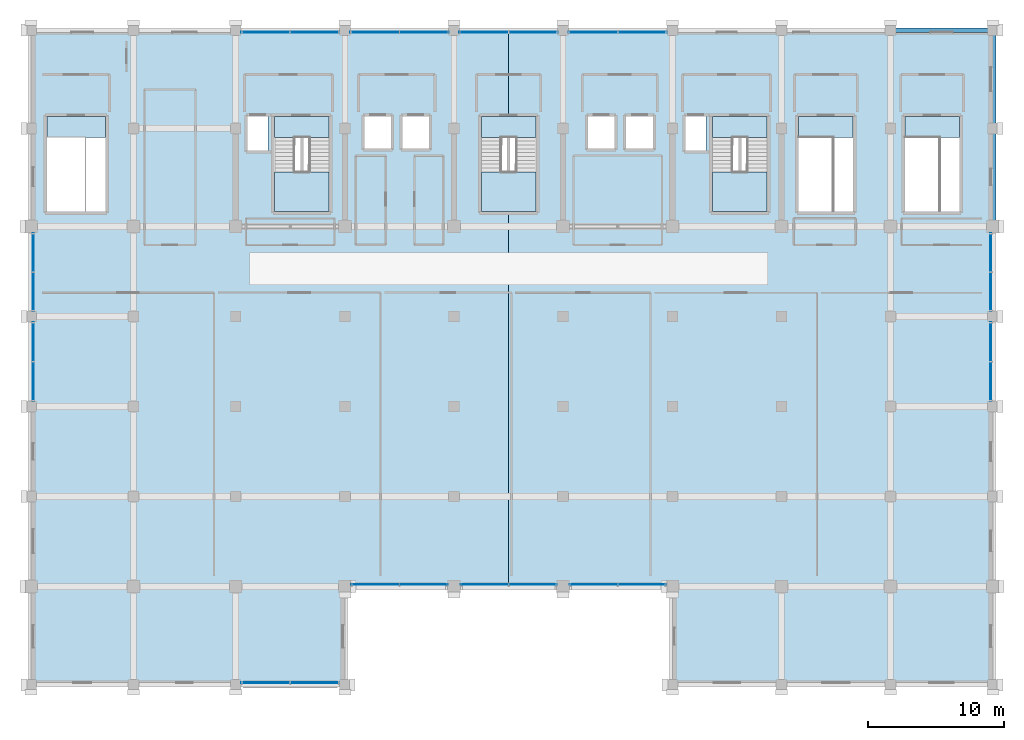
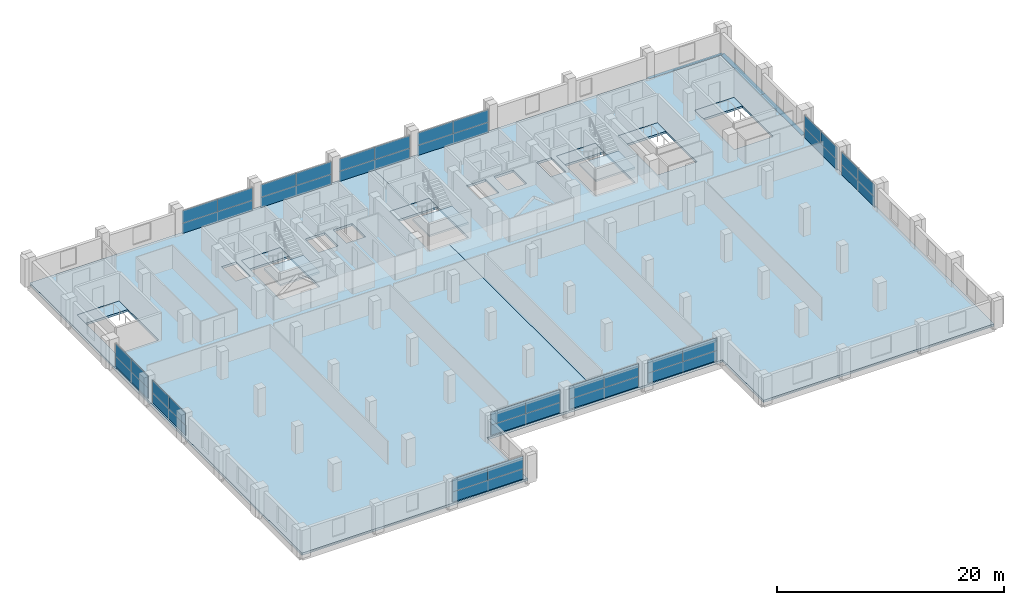
# One storey, part 15 of 21: 36 plates, 11 slabs, 3 beams, 15 elements without a shape of their own.
"""IFC4 building model written with IfcOpenShell, lengths in metres."""

from ifc_helpers import new_model, si_unit, direction, frame, origin, origin_2d, place, context, subcontext, project, spatial, polyline, rectangle, outline, extrude, material, layer, layer_set, material_profile, profile_set, type_object, element, aggregate, save


model = new_model("IFC4")

# Units and contexts
model_context = context("Model", 3, precision=1e-05, world=origin(), true_north=direction((0.0, 1.0)))
body_context = subcontext(model_context, "Body", "Model", "MODEL_VIEW")
ifc_project = project(units=[si_unit("LENGTHUNIT", "METRE"), si_unit("AREAUNIT", "SQUARE_METRE"), si_unit("VOLUMEUNIT", "CUBIC_METRE"), si_unit("PLANEANGLEUNIT", "RADIAN"), si_unit("MASSUNIT", "GRAM", prefix="KILO")], contexts=[model_context])

# Site, building, storey
site_placement = place(None, origin())
site = spatial("IfcSite", under=ifc_project, at=site_placement, CompositionType="ELEMENT")
building_placement = place(site_placement, origin())
building = spatial("IfcBuilding", under=site, at=building_placement, Name="Akrevak Sports Hall", CompositionType="ELEMENT")
storey_placement = place(building_placement, frame((0.0, 0.0, 37.300048828125)))
storey = spatial("IfcBuildingStorey", under=building, at=storey_placement, Name="L08", CompositionType="ELEMENT", Elevation=37.300048828125)

# Beams
ifc_material_1 = material(Name="Concrete C40/50", Category="concrete")
ifc_material_profile_1 = material_profile(ifc_material_1, rectangle(XDim=0.449951171875, YDim=0.699951171875, at=origin_2d()), Name="BM 450x700", Category="concrete")
ifc_profile_set_1 = profile_set([ifc_material_profile_1], Name="Concrete C40/50")
beam_type_1 = type_object("IfcBeamType", Name="STR-BM-RC450x700", PredefinedType="BEAM", material=ifc_profile_set_1)
beam_1_placement = place(storey_placement, frame((115.5, 55.199951171875, -0.35009765625), z_axis=(0.0, 1.0, 0.0), x_axis=(-1.0, 0.0, 0.0)))
element("IfcBeam", 1, at=beam_1_placement, inside=storey, type_object=beam_type_1, Name="Girder 16/I-J (L08)", PredefinedType="BEAM", context=body_context, shape_type="SweptSolid", body=[
    extrude(rectangle(XDim=0.449951171875, YDim=0.699951171875, at=origin_2d()), origin(), (0.0, 0.0, 1.0), 7.199951171875),
])
beam_2_placement = place(storey_placement, frame((115.5, 62.39990234375, -0.35009765625), z_axis=(0.0, 1.0, 0.0), x_axis=(-1.0, 0.0, 0.0)))
element("IfcBeam", 2, at=beam_2_placement, inside=storey, type_object=beam_type_1, Name="Girder 16/J-K (L08)", PredefinedType="BEAM", context=body_context, shape_type="SweptSolid", body=[
    extrude(rectangle(XDim=0.449951171875, YDim=0.699951171875, at=origin_2d()), origin(), (0.0, 0.0, 1.0), 7.2001953125),
])
ifc_material_profile_2 = material_profile(ifc_material_1, rectangle(XDim=0.320068359375, YDim=0.679931640625, at=origin_2d()), Name="SPD 320x680", Category="concrete")
ifc_profile_set_2 = profile_set([ifc_material_profile_2], Name="Concrete C40/50")
beam_type_2 = type_object("IfcBeamType", Name="STR-SPD-RC320x680", PredefinedType="SPANDREL", material=ifc_profile_set_2)
beam_3_placement = place(storey_placement, frame((108.0, 69.60009765625, -0.340087890625), z_axis=(1.0, 0.0, 0.0), x_axis=(0.0, 1.0, 0.0)))
element("IfcBeam", 3, at=beam_3_placement, inside=storey, type_object=beam_type_2, Name="Girder K/15-16 (L08)", PredefinedType="SPANDREL", context=body_context, shape_type="SweptSolid", body=[
    extrude(rectangle(XDim=0.320068359375, YDim=0.679931640625, at=origin_2d()), origin(), (0.0, 0.0, 1.0), 7.5),
])

# Curtain wall, plates
ifc_material_2 = material(Name="Anodized Bronze Aluminium & Low-E Glass", Category="aluminium")
curtain_wall_type = type_object("IfcCurtainWallType", Name="ARC-CW-TWR-72x30", PredefinedType="NOTDEFINED", material=ifc_material_2)
curtain_wall_1_placement = place(storey_placement, origin())
curtain_wall_1 = element("IfcCurtainWall", 4, at=curtain_wall_1_placement, inside=storey, type_object=curtain_wall_type, Name="Curtain Wall CW-L08-S03", PredefinedType="NOTDEFINED")
ifc_material_3 = material(Name="Double Low-E Tempered Glass", Category="glass")
ifc_layer_1 = layer(ifc_material_3, 0.031982421875, Name="Double Low-E Tempered Glass")
ifc_layer_set_1 = layer_set([ifc_layer_1], Name="Double Low-E Tempered Glass")
plate_type_1 = type_object("IfcPlateType", Name="ARC-CWP-GLZ-32", PredefinedType="CURTAIN_PANEL", material=ifc_layer_set_1)
plate_1_placement = place(storey_placement, frame((62.199951171875, 21.760009765625, 1.099853515625), z_axis=(0.0, 0.0, 1.0), x_axis=(1.0, 0.0, 0.0)))
plate_1 = element("IfcPlate", 5, at=plate_1_placement, type_object=plate_type_1, Name="Vision Glass Panel CW-L08-S03-G1", PredefinedType="CURTAIN_PANEL", context=body_context, shape_type="SweptSolid", body=[
    extrude(rectangle(XDim=3.60009765625, YDim=0.035888671875, at=origin_2d()), origin(), (0.0, 0.0, 1.0), 1.35009765625),
])
plate_2_placement = place(storey_placement, frame((65.800048828125, 21.760009765625, 1.099853515625), z_axis=(0.0, 0.0, 1.0), x_axis=(1.0, 0.0, 0.0)))
plate_2 = element("IfcPlate", 6, at=plate_2_placement, type_object=plate_type_1, Name="Vision Glass Panel CW-L08-S03-G2", PredefinedType="CURTAIN_PANEL", context=body_context, shape_type="SweptSolid", body=[
    extrude(rectangle(XDim=3.60009765625, YDim=0.035888671875, at=origin_2d()), origin(), (0.0, 0.0, 1.0), 1.35009765625),
])

curtain_wall_2_placement = place(storey_placement, origin())
curtain_wall_2 = element("IfcCurtainWall", 7, at=curtain_wall_2_placement, inside=storey, type_object=curtain_wall_type, Name="Curtain Wall CW-L08-S05", PredefinedType="NOTDEFINED")
plate_3_placement = place(storey_placement, frame((70.237548828125, 28.9599609375, 1.099853515625), z_axis=(0.0, 0.0, 1.0), x_axis=(1.0, 0.0, 0.0)))
plate_3 = element("IfcPlate", 8, at=plate_3_placement, type_object=plate_type_1, Name="Vision Glass Panel CW-L08-S05-G1", PredefinedType="CURTAIN_PANEL", context=body_context, shape_type="SweptSolid", body=[
    extrude(rectangle(XDim=3.52490234375, YDim=0.035888671875, at=origin_2d()), origin(), (0.0, 0.0, 1.0), 1.35009765625),
])
plate_4_placement = place(storey_placement, frame((73.762451171875, 28.9599609375, 1.099853515625), z_axis=(0.0, 0.0, 1.0), x_axis=(1.0, 0.0, 0.0)))
plate_4 = element("IfcPlate", 9, at=plate_4_placement, type_object=plate_type_1, Name="Vision Glass Panel CW-L08-S05-G2", PredefinedType="CURTAIN_PANEL", context=body_context, shape_type="SweptSolid", body=[
    extrude(rectangle(XDim=3.52490234375, YDim=0.035888671875, at=origin_2d()), origin(), (0.0, 0.0, 1.0), 1.35009765625),
])

curtain_wall_3_placement = place(storey_placement, origin())
curtain_wall_3 = element("IfcCurtainWall", 10, at=curtain_wall_3_placement, inside=storey, type_object=curtain_wall_type, Name="Curtain Wall CW-L08-S06", PredefinedType="NOTDEFINED")
plate_5_placement = place(storey_placement, frame((78.237548828125, 28.9599609375, 1.099853515625), z_axis=(0.0, 0.0, 1.0), x_axis=(1.0, 0.0, 0.0)))
plate_5 = element("IfcPlate", 11, at=plate_5_placement, type_object=plate_type_1, Name="Vision Glass Panel CW-L08-S06-G1", PredefinedType="CURTAIN_PANEL", context=body_context, shape_type="SweptSolid", body=[
    extrude(rectangle(XDim=3.52490234375, YDim=0.035888671875, at=origin_2d()), origin(), (0.0, 0.0, 1.0), 1.35009765625),
])
plate_6_placement = place(storey_placement, frame((81.762451171875, 28.9599609375, 1.099853515625), z_axis=(0.0, 0.0, 1.0), x_axis=(1.0, 0.0, 0.0)))
plate_6 = element("IfcPlate", 12, at=plate_6_placement, type_object=plate_type_1, Name="Vision Glass Panel CW-L08-S06-G2", PredefinedType="CURTAIN_PANEL", context=body_context, shape_type="SweptSolid", body=[
    extrude(rectangle(XDim=3.52490234375, YDim=0.035888671875, at=origin_2d()), origin(), (0.0, 0.0, 1.0), 1.35009765625),
])

curtain_wall_4_placement = place(storey_placement, origin())
curtain_wall_4 = element("IfcCurtainWall", 13, at=curtain_wall_4_placement, inside=storey, type_object=curtain_wall_type, Name="Curtain Wall CW-L08-S07", PredefinedType="NOTDEFINED")
plate_7_placement = place(storey_placement, frame((86.237548828125, 28.9599609375, 1.099853515625), z_axis=(0.0, 0.0, 1.0), x_axis=(1.0, 0.0, 0.0)))
plate_7 = element("IfcPlate", 14, at=plate_7_placement, type_object=plate_type_1, Name="Vision Glass Panel CW-L08-S07-G1", PredefinedType="CURTAIN_PANEL", context=body_context, shape_type="SweptSolid", body=[
    extrude(rectangle(XDim=3.52490234375, YDim=0.035888671875, at=origin_2d()), origin(), (0.0, 0.0, 1.0), 1.35009765625),
])
plate_8_placement = place(storey_placement, frame((89.762451171875, 28.9599609375, 1.099853515625), z_axis=(0.0, 0.0, 1.0), x_axis=(1.0, 0.0, 0.0)))
plate_8 = element("IfcPlate", 15, at=plate_8_placement, type_object=plate_type_1, Name="Vision Glass Panel CW-L08-S07-G2", PredefinedType="CURTAIN_PANEL", context=body_context, shape_type="SweptSolid", body=[
    extrude(rectangle(XDim=3.52490234375, YDim=0.035888671875, at=origin_2d()), origin(), (0.0, 0.0, 1.0), 1.35009765625),
])

curtain_wall_5_placement = place(storey_placement, origin())
curtain_wall_5 = element("IfcCurtainWall", 16, at=curtain_wall_5_placement, inside=storey, type_object=curtain_wall_type, Name="Curtain Wall CW-L08-E15", PredefinedType="NOTDEFINED")
plate_9_placement = place(storey_placement, frame((115.340087890625, 43.85009765625, 1.099853515625), z_axis=(0.0, 0.0, 1.0), x_axis=(0.0, 1.0, 0.0)))
plate_9 = element("IfcPlate", 17, at=plate_9_placement, type_object=plate_type_1, Name="Vision Glass Panel CW-L08-E15-G1", PredefinedType="CURTAIN_PANEL", context=body_context, shape_type="SweptSolid", body=[
    extrude(rectangle(XDim=2.89990234375, YDim=0.035888671875, at=origin_2d()), origin(), (0.0, 0.0, 1.0), 1.35009765625),
])
plate_10_placement = place(storey_placement, frame((115.340087890625, 46.75, 1.099853515625), z_axis=(0.0, 0.0, 1.0), x_axis=(0.0, 1.0, 0.0)))
plate_10 = element("IfcPlate", 18, at=plate_10_placement, type_object=plate_type_1, Name="Vision Glass Panel CW-L08-E15-G2", PredefinedType="CURTAIN_PANEL", context=body_context, shape_type="SweptSolid", body=[
    extrude(rectangle(XDim=2.89990234375, YDim=0.035888671875, at=origin_2d()), origin(), (0.0, 0.0, 1.0), 1.35009765625),
])

curtain_wall_6_placement = place(storey_placement, origin())
curtain_wall_6 = element("IfcCurtainWall", 19, at=curtain_wall_6_placement, inside=storey, type_object=curtain_wall_type, Name="Curtain Wall CW-L08-E16", PredefinedType="NOTDEFINED")
plate_11_placement = place(storey_placement, frame((115.340087890625, 50.43115234375, 1.099853515625), z_axis=(0.0, 0.0, 1.0), x_axis=(0.0, 1.0, 0.0)))
plate_11 = element("IfcPlate", 20, at=plate_11_placement, type_object=plate_type_1, Name="Vision Glass Panel CW-L08-E16-G1", PredefinedType="CURTAIN_PANEL", context=body_context, shape_type="SweptSolid", body=[
    extrude(rectangle(XDim=2.862548828125, YDim=0.035888671875, at=origin_2d()), origin(), (0.0, 0.0, 1.0), 1.35009765625),
])
plate_12_placement = place(storey_placement, frame((115.340087890625, 53.293701171875, 1.099853515625), z_axis=(0.0, 0.0, 1.0), x_axis=(0.0, 1.0, 0.0)))
plate_12 = element("IfcPlate", 21, at=plate_12_placement, type_object=plate_type_1, Name="Vision Glass Panel CW-L08-E16-G2", PredefinedType="CURTAIN_PANEL", context=body_context, shape_type="SweptSolid", body=[
    extrude(rectangle(XDim=2.862548828125, YDim=0.035888671875, at=origin_2d()), origin(), (0.0, 0.0, 1.0), 1.35009765625),
])

curtain_wall_7_placement = place(storey_placement, origin())
curtain_wall_7 = element("IfcCurtainWall", 22, at=curtain_wall_7_placement, inside=storey, type_object=curtain_wall_type, Name="Curtain Wall CW-L08-N22", PredefinedType="NOTDEFINED")
plate_13_placement = place(storey_placement, frame((89.800048828125, 69.43994140625, 1.099853515625), z_axis=(0.0, 0.0, 1.0), x_axis=(-1.0, 0.0, 0.0)))
plate_13 = element("IfcPlate", 23, at=plate_13_placement, type_object=plate_type_1, Name="Vision Glass Panel CW-L08-N22-G1", PredefinedType="CURTAIN_PANEL", context=body_context, shape_type="SweptSolid", body=[
    extrude(rectangle(XDim=3.60009765625, YDim=0.035888671875, at=origin_2d()), origin(), (0.0, 0.0, 1.0), 1.35009765625),
])
plate_14_placement = place(storey_placement, frame((86.199951171875, 69.43994140625, 1.099853515625), z_axis=(0.0, 0.0, 1.0), x_axis=(-1.0, 0.0, 0.0)))
plate_14 = element("IfcPlate", 24, at=plate_14_placement, type_object=plate_type_1, Name="Vision Glass Panel CW-L08-N22-G2", PredefinedType="CURTAIN_PANEL", context=body_context, shape_type="SweptSolid", body=[
    extrude(rectangle(XDim=3.60009765625, YDim=0.035888671875, at=origin_2d()), origin(), (0.0, 0.0, 1.0), 1.35009765625),
])

curtain_wall_8_placement = place(storey_placement, origin())
curtain_wall_8 = element("IfcCurtainWall", 25, at=curtain_wall_8_placement, inside=storey, type_object=curtain_wall_type, Name="Curtain Wall CW-L08-N23", PredefinedType="NOTDEFINED")
plate_15_placement = place(storey_placement, frame((81.800048828125, 69.43994140625, 1.099853515625), z_axis=(0.0, 0.0, 1.0), x_axis=(-1.0, 0.0, 0.0)))
plate_15 = element("IfcPlate", 26, at=plate_15_placement, type_object=plate_type_1, Name="Vision Glass Panel CW-L08-N23-G1", PredefinedType="CURTAIN_PANEL", context=body_context, shape_type="SweptSolid", body=[
    extrude(rectangle(XDim=3.60009765625, YDim=0.035888671875, at=origin_2d()), origin(), (0.0, 0.0, 1.0), 1.35009765625),
])
plate_16_placement = place(storey_placement, frame((78.199951171875, 69.43994140625, 1.099853515625), z_axis=(0.0, 0.0, 1.0), x_axis=(-1.0, 0.0, 0.0)))
plate_16 = element("IfcPlate", 27, at=plate_16_placement, type_object=plate_type_1, Name="Vision Glass Panel CW-L08-N23-G2", PredefinedType="CURTAIN_PANEL", context=body_context, shape_type="SweptSolid", body=[
    extrude(rectangle(XDim=3.60009765625, YDim=0.035888671875, at=origin_2d()), origin(), (0.0, 0.0, 1.0), 1.35009765625),
])

curtain_wall_9_placement = place(storey_placement, origin())
curtain_wall_9 = element("IfcCurtainWall", 28, at=curtain_wall_9_placement, inside=storey, type_object=curtain_wall_type, Name="Curtain Wall CW-L08-N24", PredefinedType="NOTDEFINED")
plate_17_placement = place(storey_placement, frame((73.800048828125, 69.43994140625, 1.099853515625), z_axis=(0.0, 0.0, 1.0), x_axis=(-1.0, 0.0, 0.0)))
plate_17 = element("IfcPlate", 29, at=plate_17_placement, type_object=plate_type_1, Name="Vision Glass Panel CW-L08-N24-G1", PredefinedType="CURTAIN_PANEL", context=body_context, shape_type="SweptSolid", body=[
    extrude(rectangle(XDim=3.60009765625, YDim=0.035888671875, at=origin_2d()), origin(), (0.0, 0.0, 1.0), 1.35009765625),
])
plate_18_placement = place(storey_placement, frame((70.199951171875, 69.43994140625, 1.099853515625), z_axis=(0.0, 0.0, 1.0), x_axis=(-1.0, 0.0, 0.0)))
plate_18 = element("IfcPlate", 30, at=plate_18_placement, type_object=plate_type_1, Name="Vision Glass Panel CW-L08-N24-G2", PredefinedType="CURTAIN_PANEL", context=body_context, shape_type="SweptSolid", body=[
    extrude(rectangle(XDim=3.60009765625, YDim=0.035888671875, at=origin_2d()), origin(), (0.0, 0.0, 1.0), 1.35009765625),
])

curtain_wall_10_placement = place(storey_placement, origin())
curtain_wall_10 = element("IfcCurtainWall", 31, at=curtain_wall_10_placement, inside=storey, type_object=curtain_wall_type, Name="Curtain Wall CW-L08-N25", PredefinedType="NOTDEFINED")
plate_19_placement = place(storey_placement, frame((65.800048828125, 69.43994140625, 1.099853515625), z_axis=(0.0, 0.0, 1.0), x_axis=(-1.0, 0.0, 0.0)))
plate_19 = element("IfcPlate", 32, at=plate_19_placement, type_object=plate_type_1, Name="Vision Glass Panel CW-L08-N25-G1", PredefinedType="CURTAIN_PANEL", context=body_context, shape_type="SweptSolid", body=[
    extrude(rectangle(XDim=3.60009765625, YDim=0.035888671875, at=origin_2d()), origin(), (0.0, 0.0, 1.0), 1.35009765625),
])
plate_20_placement = place(storey_placement, frame((62.199951171875, 69.43994140625, 1.099853515625), z_axis=(0.0, 0.0, 1.0), x_axis=(-1.0, 0.0, 0.0)))
plate_20 = element("IfcPlate", 33, at=plate_20_placement, type_object=plate_type_1, Name="Vision Glass Panel CW-L08-N25-G2", PredefinedType="CURTAIN_PANEL", context=body_context, shape_type="SweptSolid", body=[
    extrude(rectangle(XDim=3.60009765625, YDim=0.035888671875, at=origin_2d()), origin(), (0.0, 0.0, 1.0), 1.35009765625),
])

curtain_wall_11_placement = place(storey_placement, origin())
curtain_wall_11 = element("IfcCurtainWall", 34, at=curtain_wall_11_placement, inside=storey, type_object=curtain_wall_type, Name="Curtain Wall CW-L08-W30", PredefinedType="NOTDEFINED")
plate_21_placement = place(storey_placement, frame((45.159912109375, 53.293701171875, 1.099853515625), z_axis=(0.0, 0.0, 1.0), x_axis=(0.0, -1.0, 0.0)))
plate_21 = element("IfcPlate", 35, at=plate_21_placement, type_object=plate_type_1, Name="Vision Glass Panel CW-L08-W30-G1", PredefinedType="CURTAIN_PANEL", context=body_context, shape_type="SweptSolid", body=[
    extrude(rectangle(XDim=2.862548828125, YDim=0.035888671875, at=origin_2d()), origin(), (0.0, 0.0, 1.0), 1.35009765625),
])
plate_22_placement = place(storey_placement, frame((45.159912109375, 50.43115234375, 1.099853515625), z_axis=(0.0, 0.0, 1.0), x_axis=(0.0, -1.0, 0.0)))
plate_22 = element("IfcPlate", 36, at=plate_22_placement, type_object=plate_type_1, Name="Vision Glass Panel CW-L08-W30-G2", PredefinedType="CURTAIN_PANEL", context=body_context, shape_type="SweptSolid", body=[
    extrude(rectangle(XDim=2.862548828125, YDim=0.035888671875, at=origin_2d()), origin(), (0.0, 0.0, 1.0), 1.35009765625),
])

curtain_wall_12_placement = place(storey_placement, origin())
curtain_wall_12 = element("IfcCurtainWall", 37, at=curtain_wall_12_placement, inside=storey, type_object=curtain_wall_type, Name="Curtain Wall CW-L08-W31", PredefinedType="NOTDEFINED")
plate_23_placement = place(storey_placement, frame((45.159912109375, 46.75, 1.099853515625), z_axis=(0.0, 0.0, 1.0), x_axis=(0.0, -1.0, 0.0)))
plate_23 = element("IfcPlate", 38, at=plate_23_placement, type_object=plate_type_1, Name="Vision Glass Panel CW-L08-W31-G1", PredefinedType="CURTAIN_PANEL", context=body_context, shape_type="SweptSolid", body=[
    extrude(rectangle(XDim=2.89990234375, YDim=0.035888671875, at=origin_2d()), origin(), (0.0, 0.0, 1.0), 1.35009765625),
])
plate_24_placement = place(storey_placement, frame((45.159912109375, 43.85009765625, 1.099853515625), z_axis=(0.0, 0.0, 1.0), x_axis=(0.0, -1.0, 0.0)))
plate_24 = element("IfcPlate", 39, at=plate_24_placement, type_object=plate_type_1, Name="Vision Glass Panel CW-L08-W31-G2", PredefinedType="CURTAIN_PANEL", context=body_context, shape_type="SweptSolid", body=[
    extrude(rectangle(XDim=2.89990234375, YDim=0.035888671875, at=origin_2d()), origin(), (0.0, 0.0, 1.0), 1.35009765625),
])

# Plate
ifc_material_4 = material(Name="Insulated Bronze Spandrel Panel", Category="aluminium")
ifc_layer_2 = layer(ifc_material_4, 0.0400390625, Name="Insulated Bronze Spandrel Panel")
ifc_layer_set_2 = layer_set([ifc_layer_2], Name="Insulated Bronze Spandrel Panel")
plate_type_2 = type_object("IfcPlateType", Name="ARC-CWP-SPD-40", PredefinedType="CURTAIN_PANEL", material=ifc_layer_set_2)
plate_25_placement = place(storey_placement, frame((64.0, 21.760009765625, 0.0), z_axis=(0.0, 0.0, 1.0), x_axis=(1.0, 0.0, 0.0)))
plate_25 = element("IfcPlate", 40, at=plate_25_placement, type_object=plate_type_2, Name="Insulated Spandrel Panel CW-L08-S03-S1", PredefinedType="CURTAIN_PANEL", context=body_context, shape_type="SweptSolid", body=[
    extrude(rectangle(XDim=7.199951171875, YDim=0.0439453125, at=origin_2d()), origin(), (0.0, 0.0, 1.0), 1.10009765625),
])

aggregate(curtain_wall_1, [plate_1, plate_2, plate_25])

plate_26_placement = place(storey_placement, frame((72.0, 28.9599609375, 0.0), z_axis=(0.0, 0.0, 1.0), x_axis=(1.0, 0.0, 0.0)))
plate_26 = element("IfcPlate", 41, at=plate_26_placement, type_object=plate_type_2, Name="Insulated Spandrel Panel CW-L08-S05-S1", PredefinedType="CURTAIN_PANEL", context=body_context, shape_type="SweptSolid", body=[
    extrude(rectangle(XDim=7.050048828125, YDim=0.0439453125, at=origin_2d()), origin(), (0.0, 0.0, 1.0), 1.10009765625),
])

aggregate(curtain_wall_2, [plate_3, plate_4, plate_26])

plate_27_placement = place(storey_placement, frame((80.0, 28.9599609375, 0.0), z_axis=(0.0, 0.0, 1.0), x_axis=(1.0, 0.0, 0.0)))
plate_27 = element("IfcPlate", 42, at=plate_27_placement, type_object=plate_type_2, Name="Insulated Spandrel Panel CW-L08-S06-S1", PredefinedType="CURTAIN_PANEL", context=body_context, shape_type="SweptSolid", body=[
    extrude(rectangle(XDim=7.050048828125, YDim=0.0439453125, at=origin_2d()), origin(), (0.0, 0.0, 1.0), 1.10009765625),
])

aggregate(curtain_wall_3, [plate_5, plate_6, plate_27])

plate_28_placement = place(storey_placement, frame((88.0, 28.9599609375, 0.0), z_axis=(0.0, 0.0, 1.0), x_axis=(1.0, 0.0, 0.0)))
plate_28 = element("IfcPlate", 43, at=plate_28_placement, type_object=plate_type_2, Name="Insulated Spandrel Panel CW-L08-S07-S1", PredefinedType="CURTAIN_PANEL", context=body_context, shape_type="SweptSolid", body=[
    extrude(rectangle(XDim=7.050048828125, YDim=0.0439453125, at=origin_2d()), origin(), (0.0, 0.0, 1.0), 1.10009765625),
])

aggregate(curtain_wall_4, [plate_7, plate_8, plate_28])

plate_29_placement = place(storey_placement, frame((115.340087890625, 45.300048828125, 0.0), z_axis=(0.0, 0.0, 1.0), x_axis=(0.0, 1.0, 0.0)))
plate_29 = element("IfcPlate", 44, at=plate_29_placement, type_object=plate_type_2, Name="Insulated Spandrel Panel CW-L08-E15-S1", PredefinedType="CURTAIN_PANEL", context=body_context, shape_type="SweptSolid", body=[
    extrude(rectangle(XDim=5.800048828125, YDim=0.0439453125, at=origin_2d()), origin(), (0.0, 0.0, 1.0), 1.10009765625),
])

aggregate(curtain_wall_5, [plate_9, plate_10, plate_29])

plate_30_placement = place(storey_placement, frame((115.340087890625, 51.862548828125, 0.0), z_axis=(0.0, 0.0, 1.0), x_axis=(0.0, 1.0, 0.0)))
plate_30 = element("IfcPlate", 45, at=plate_30_placement, type_object=plate_type_2, Name="Insulated Spandrel Panel CW-L08-E16-S1", PredefinedType="CURTAIN_PANEL", context=body_context, shape_type="SweptSolid", body=[
    extrude(rectangle(XDim=5.72509765625, YDim=0.0439453125, at=origin_2d()), origin(), (0.0, 0.0, 1.0), 1.10009765625),
])

aggregate(curtain_wall_6, [plate_11, plate_12, plate_30])

plate_31_placement = place(storey_placement, frame((88.0, 69.43994140625, 0.0), z_axis=(0.0, 0.0, 1.0), x_axis=(-1.0, 0.0, 0.0)))
plate_31 = element("IfcPlate", 46, at=plate_31_placement, type_object=plate_type_2, Name="Insulated Spandrel Panel CW-L08-N22-S1", PredefinedType="CURTAIN_PANEL", context=body_context, shape_type="SweptSolid", body=[
    extrude(rectangle(XDim=7.199951171875, YDim=0.0439453125, at=origin_2d()), origin(), (0.0, 0.0, 1.0), 1.10009765625),
])

aggregate(curtain_wall_7, [plate_13, plate_14, plate_31])

plate_32_placement = place(storey_placement, frame((80.0, 69.43994140625, 0.0), z_axis=(0.0, 0.0, 1.0), x_axis=(-1.0, 0.0, 0.0)))
plate_32 = element("IfcPlate", 47, at=plate_32_placement, type_object=plate_type_2, Name="Insulated Spandrel Panel CW-L08-N23-S1", PredefinedType="CURTAIN_PANEL", context=body_context, shape_type="SweptSolid", body=[
    extrude(rectangle(XDim=7.199951171875, YDim=0.0439453125, at=origin_2d()), origin(), (0.0, 0.0, 1.0), 1.10009765625),
])

aggregate(curtain_wall_8, [plate_15, plate_16, plate_32])

plate_33_placement = place(storey_placement, frame((72.0, 69.43994140625, 0.0), z_axis=(0.0, 0.0, 1.0), x_axis=(-1.0, 0.0, 0.0)))
plate_33 = element("IfcPlate", 48, at=plate_33_placement, type_object=plate_type_2, Name="Insulated Spandrel Panel CW-L08-N24-S1", PredefinedType="CURTAIN_PANEL", context=body_context, shape_type="SweptSolid", body=[
    extrude(rectangle(XDim=7.199951171875, YDim=0.0439453125, at=origin_2d()), origin(), (0.0, 0.0, 1.0), 1.10009765625),
])

aggregate(curtain_wall_9, [plate_17, plate_18, plate_33])

plate_34_placement = place(storey_placement, frame((64.0, 69.43994140625, 0.0), z_axis=(0.0, 0.0, 1.0), x_axis=(-1.0, 0.0, 0.0)))
plate_34 = element("IfcPlate", 49, at=plate_34_placement, type_object=plate_type_2, Name="Insulated Spandrel Panel CW-L08-N25-S1", PredefinedType="CURTAIN_PANEL", context=body_context, shape_type="SweptSolid", body=[
    extrude(rectangle(XDim=7.199951171875, YDim=0.0439453125, at=origin_2d()), origin(), (0.0, 0.0, 1.0), 1.10009765625),
])

aggregate(curtain_wall_10, [plate_19, plate_20, plate_34])

plate_35_placement = place(storey_placement, frame((45.159912109375, 51.862548828125, 0.0), z_axis=(0.0, 0.0, 1.0), x_axis=(0.0, -1.0, 0.0)))
plate_35 = element("IfcPlate", 50, at=plate_35_placement, type_object=plate_type_2, Name="Insulated Spandrel Panel CW-L08-W30-S1", PredefinedType="CURTAIN_PANEL", context=body_context, shape_type="SweptSolid", body=[
    extrude(rectangle(XDim=5.72509765625, YDim=0.0439453125, at=origin_2d()), origin(), (0.0, 0.0, 1.0), 1.10009765625),
])

aggregate(curtain_wall_11, [plate_21, plate_22, plate_35])

plate_36_placement = place(storey_placement, frame((45.159912109375, 45.300048828125, 0.0), z_axis=(0.0, 0.0, 1.0), x_axis=(0.0, -1.0, 0.0)))
plate_36 = element("IfcPlate", 51, at=plate_36_placement, type_object=plate_type_2, Name="Insulated Spandrel Panel CW-L08-W31-S1", PredefinedType="CURTAIN_PANEL", context=body_context, shape_type="SweptSolid", body=[
    extrude(rectangle(XDim=5.800048828125, YDim=0.0439453125, at=origin_2d()), origin(), (0.0, 0.0, 1.0), 1.10009765625),
])

aggregate(curtain_wall_12, [plate_23, plate_24, plate_36])

# Slabs
ifc_layer_3 = layer(ifc_material_1, 0.25, Name="Concrete C40/50")
ifc_layer_set_3 = layer_set([ifc_layer_3], Name="Concrete C40/50")
slab_type_1 = type_object("IfcSlabType", Name="STR-SLB-FLR-250", PredefinedType="FLOOR", material=ifc_layer_set_3)
slab_1_placement = place(storey_placement, frame((0.0, 0.0, -0.25)))
element("IfcSlab", 52, at=slab_1_placement, inside=storey, type_object=slab_type_1, Name="Structural Floor Slab L08-1.1", PredefinedType="FLOOR", context=body_context, shape_type="SweptSolid", body=[
    extrude(outline(polyline([(45.0, 69.60009765625), (45.0, 21.60009765625), (68.0, 21.60009765625), (68.0, 28.800048828125), (80.0, 28.800048828125), (80.0, 56.300048828125), (78.0, 56.300048828125), (78.0, 63.25), (80.0, 63.25), (80.0, 69.60009765625), (45.0, 69.60009765625)]), holes=[polyline([(46.14990234375, 63.25), (50.449951171875, 63.25), (50.449951171875, 56.300048828125), (46.14990234375, 56.300048828125), (46.14990234375, 63.25)]), polyline([(66.85009765625, 63.25), (66.85009765625, 56.300048828125), (62.85009765625, 56.300048828125), (62.85009765625, 63.25), (66.85009765625, 63.25)]), polyline([(60.8701171875, 63.280029296875), (62.3798828125, 63.280029296875), (62.3798828125, 60.77001953125), (60.8701171875, 60.77001953125), (60.8701171875, 63.280029296875)]), polyline([(71.3798828125, 63.280029296875), (71.3798828125, 60.919921875), (69.419921875, 60.919921875), (69.419921875, 63.280029296875), (71.3798828125, 63.280029296875)]), polyline([(74.179931640625, 63.280029296875), (74.179931640625, 60.919921875), (72.219970703125, 60.919921875), (72.219970703125, 63.280029296875), (74.179931640625, 63.280029296875)])]), origin(), (0.0, 0.0, 1.0), 0.25),
])
slab_2_placement = place(storey_placement, frame((0.0, 0.0, -0.25)))
element("IfcSlab", 53, at=slab_2_placement, inside=storey, type_object=slab_type_1, Name="Structural Floor Slab L08-2.1", PredefinedType="FLOOR", context=body_context, shape_type="SweptSolid", body=[
    extrude(outline(polyline([(80.0, 69.60009765625), (80.0, 63.25), (82.0, 63.25), (82.0, 56.300048828125), (80.0, 56.300048828125), (80.0, 28.800048828125), (92.0, 28.800048828125), (92.0, 21.60009765625), (115.5, 21.60009765625), (115.5, 69.60009765625), (80.0, 69.60009765625)]), holes=[polyline([(94.949951171875, 63.25), (98.949951171875, 63.25), (98.949951171875, 56.300048828125), (94.949951171875, 56.300048828125), (94.949951171875, 63.25)]), polyline([(105.25, 63.25), (105.25, 56.300048828125), (101.25, 56.300048828125), (101.25, 63.25), (105.25, 63.25)]), polyline([(113.050048828125, 63.25), (113.050048828125, 56.300048828125), (109.050048828125, 56.300048828125), (109.050048828125, 63.25), (113.050048828125, 63.25)]), polyline([(92.969970703125, 63.280029296875), (94.47998046875, 63.280029296875), (94.47998046875, 60.77001953125), (92.969970703125, 60.77001953125), (92.969970703125, 63.280029296875)]), polyline([(87.780029296875, 63.280029296875), (87.780029296875, 60.919921875), (85.820068359375, 60.919921875), (85.820068359375, 63.280029296875), (87.780029296875, 63.280029296875)]), polyline([(90.580078125, 63.280029296875), (90.580078125, 60.919921875), (88.6201171875, 60.919921875), (88.6201171875, 63.280029296875), (90.580078125, 63.280029296875)])]), origin(), (0.0, 0.0, 1.0), 0.25),
])

# Stair, slab
stair_type = type_object("IfcStairType", Name="ARC-STR-DOG-325", PredefinedType="HALF_TURN_STAIR", material=ifc_material_1)
stair_1_placement = place(storey_placement, origin())
stair_1 = element("IfcStair", 54, at=stair_1_placement, inside=storey, type_object=stair_type, Name="Protected Exit Stair ST1 (L08 to L09)", PredefinedType="HALF_TURN_STAIR")
ifc_layer_4 = layer(ifc_material_1, 0.199951171875, Name="Concrete C40/50")
ifc_layer_set_4 = layer_set([ifc_layer_4], Name="Concrete C40/50")
slab_type_2 = type_object("IfcSlabType", Name="STR-SLB-LAND-200", PredefinedType="LANDING", material=ifc_layer_set_4)
slab_3_placement = place(storey_placement, frame((0.0, 0.0, 1.425048828125)))
slab_3 = element("IfcSlab", 55, at=slab_3_placement, type_object=slab_type_2, Name="Stair ST1 Half-Landing 1 (L08)", PredefinedType="LANDING", context=body_context, shape_type="SweptSolid", body=[
    extrude(outline(polyline([(62.85009765625, 56.300048828125), (66.85009765625, 56.300048828125), (66.85009765625, 59.215087890625), (62.85009765625, 59.215087890625), (62.85009765625, 56.300048828125)])), origin(), (0.0, 0.0, 1.0), 0.199951171875),
])
aggregate(stair_1, [slab_3])

stair_2_placement = place(storey_placement, origin())
stair_2 = element("IfcStair", 56, at=stair_2_placement, inside=storey, type_object=stair_type, Name="Protected Exit Stair ST2 (L08 to L09)", PredefinedType="HALF_TURN_STAIR")
slab_4_placement = place(storey_placement, frame((0.0, 0.0, 1.425048828125)))
slab_4 = element("IfcSlab", 57, at=slab_4_placement, type_object=slab_type_2, Name="Stair ST2 Half-Landing 1 (L08)", PredefinedType="LANDING", context=body_context, shape_type="SweptSolid", body=[
    extrude(outline(polyline([(94.949951171875, 56.300048828125), (98.949951171875, 56.300048828125), (98.949951171875, 59.215087890625), (94.949951171875, 59.215087890625), (94.949951171875, 56.300048828125)])), origin(), (0.0, 0.0, 1.0), 0.199951171875),
])
aggregate(stair_2, [slab_4])

stair_3_placement = place(storey_placement, origin())
stair_3 = element("IfcStair", 58, at=stair_3_placement, inside=storey, type_object=stair_type, Name="Protected Exit Stair ST3 (L08 to L09)", PredefinedType="HALF_TURN_STAIR")
slab_5_placement = place(storey_placement, frame((0.0, 0.0, 1.425048828125)))
slab_5 = element("IfcSlab", 59, at=slab_5_placement, type_object=slab_type_2, Name="Stair ST3 Half-Landing 1 (L08)", PredefinedType="LANDING", context=body_context, shape_type="SweptSolid", body=[
    extrude(outline(polyline([(78.0, 56.300048828125), (82.0, 56.300048828125), (82.0, 59.215087890625), (78.0, 59.215087890625), (78.0, 56.300048828125)])), origin(), (0.0, 0.0, 1.0), 0.199951171875),
])
aggregate(stair_3, [slab_5])

# Slabs
ifc_layer_5 = layer(ifc_material_1, 0.219970703125, Name="Concrete C40/50")
ifc_layer_set_5 = layer_set([ifc_layer_5], Name="Concrete C40/50")
slab_type_3 = type_object("IfcSlabType", Name="STR-SLB-LAND-220", PredefinedType="LANDING", material=ifc_layer_set_5)
slab_6_placement = place(storey_placement, frame((0.0, 0.0, -0.219970703125)))
element("IfcSlab", 60, at=slab_6_placement, inside=storey, type_object=slab_type_3, Name="Stair ST1 Floor Landing (L08)", PredefinedType="LANDING", context=body_context, shape_type="SweptSolid", body=[
    extrude(outline(polyline([(62.85009765625, 61.735107421875), (66.85009765625, 61.735107421875), (66.85009765625, 63.25), (62.85009765625, 63.25), (62.85009765625, 61.735107421875)])), origin(), (0.0, 0.0, 1.0), 0.219970703125),
])
slab_7_placement = place(storey_placement, frame((0.0, 0.0, -0.219970703125)))
element("IfcSlab", 61, at=slab_7_placement, inside=storey, type_object=slab_type_3, Name="Stair ST2 Floor Landing (L08)", PredefinedType="LANDING", context=body_context, shape_type="SweptSolid", body=[
    extrude(outline(polyline([(94.949951171875, 61.735107421875), (98.949951171875, 61.735107421875), (98.949951171875, 63.25), (94.949951171875, 63.25), (94.949951171875, 61.735107421875)])), origin(), (0.0, 0.0, 1.0), 0.219970703125),
])
slab_8_placement = place(storey_placement, frame((0.0, 0.0, -0.219970703125)))
element("IfcSlab", 62, at=slab_8_placement, inside=storey, type_object=slab_type_3, Name="Stair ST3 Floor Landing (L08)", PredefinedType="LANDING", context=body_context, shape_type="SweptSolid", body=[
    extrude(outline(polyline([(78.0, 61.735107421875), (82.0, 61.735107421875), (82.0, 63.25), (78.0, 63.25), (78.0, 61.735107421875)])), origin(), (0.0, 0.0, 1.0), 0.219970703125),
])
slab_9_placement = place(storey_placement, frame((0.0, 0.0, -0.219970703125)))
element("IfcSlab", 63, at=slab_9_placement, inside=storey, type_object=slab_type_3, Name="Stair ST4 Floor Landing (L08)", PredefinedType="LANDING", context=body_context, shape_type="SweptSolid", body=[
    extrude(outline(polyline([(46.14990234375, 61.735107421875), (50.449951171875, 61.735107421875), (50.449951171875, 63.25), (46.14990234375, 63.25), (46.14990234375, 61.735107421875)])), origin(), (0.0, 0.0, 1.0), 0.219970703125),
])
slab_10_placement = place(storey_placement, frame((0.0, 0.0, -0.219970703125)))
element("IfcSlab", 64, at=slab_10_placement, inside=storey, type_object=slab_type_3, Name="Stair ST10 Floor Landing (L08)", PredefinedType="LANDING", context=body_context, shape_type="SweptSolid", body=[
    extrude(outline(polyline([(101.25, 61.735107421875), (105.25, 61.735107421875), (105.25, 63.25), (101.25, 63.25), (101.25, 61.735107421875)])), origin(), (0.0, 0.0, 1.0), 0.219970703125),
])
slab_11_placement = place(storey_placement, frame((0.0, 0.0, -0.219970703125)))
element("IfcSlab", 65, at=slab_11_placement, inside=storey, type_object=slab_type_3, Name="Stair ST11 Floor Landing (L08)", PredefinedType="LANDING", context=body_context, shape_type="SweptSolid", body=[
    extrude(outline(polyline([(109.050048828125, 61.735107421875), (113.050048828125, 61.735107421875), (113.050048828125, 63.25), (109.050048828125, 63.25), (109.050048828125, 61.735107421875)])), origin(), (0.0, 0.0, 1.0), 0.219970703125),
])

save(model, "model.ifc")
